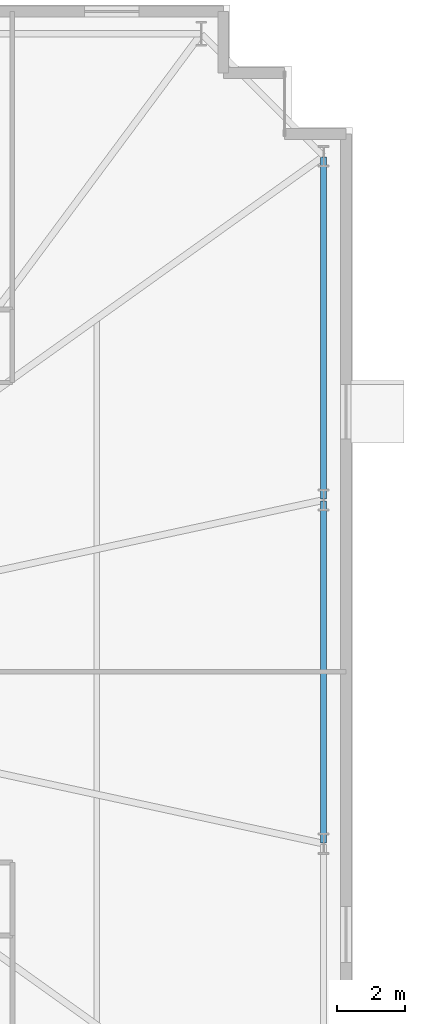
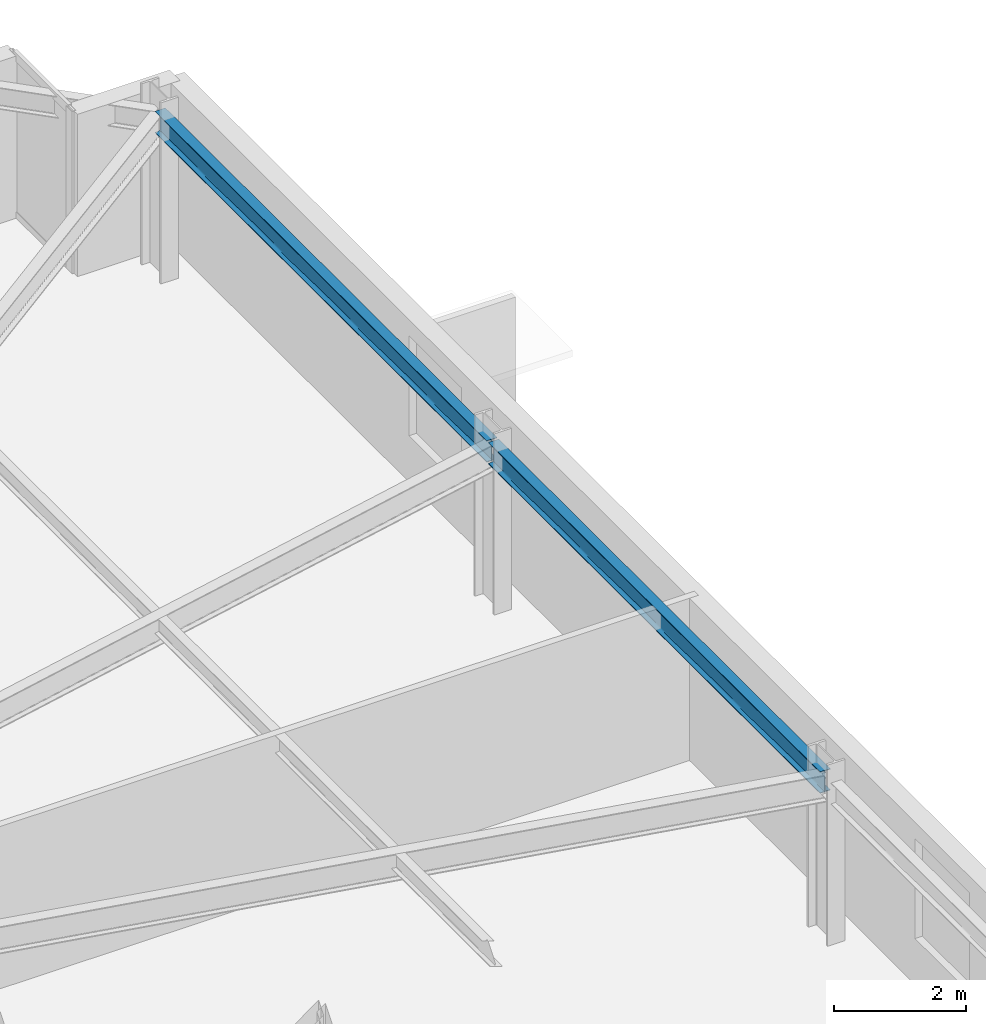
# One storey, part 11 of 20: 2 beams.
"""IFC4 building model written with IfcOpenShell, lengths in metres."""

import ifcopenshell
import ifcopenshell.guid

model = None  # the IFC model being written
_history = None  # IfcOwnerHistory: only IFC2X3 demands one
_inside = {}  # id of a spatial element -> (the spatial element, [elements in it])
_under = {}  # id of a project, library or spatial element -> (it, [spatial elements below it])
_declared = {}  # id of a project -> (the project, [libraries it declares])
_typed = {}  # id of a type object -> (the type object, [elements of that type])
_made_of = {}  # id of a material, layer set ... -> (it, [elements and type objects made of it])


def new_model(schema):
    """Start an empty IFC model of exactly this schema.

    Asked for "IFC4X3", IfcOpenShell would pick the latest addendum, in which some entities
    have other attributes; the version numbers below select the first issue.
    IFC2X3 requires an IfcOwnerHistory on every rooted entity: one is made here for all.
    """
    global model, _history
    if schema == "IFC4X3":
        model = ifcopenshell.file(schema_version=(4, 3, 0, 0))
    else:
        model = ifcopenshell.file(schema=schema)
    _inside.clear()
    _under.clear()
    _declared.clear()
    _typed.clear()
    _made_of.clear()
    _history = None
    if model.schema == "IFC2X3":
        org = make("IfcOrganization", Name="unknown")
        user = make(
            "IfcPersonAndOrganization",
            ThePerson=make("IfcPerson", FamilyName="unknown"),
            TheOrganization=org,
        )
        app = make(
            "IfcApplication",
            ApplicationDeveloper=org,
            Version="unknown",
            ApplicationFullName="unknown",
            ApplicationIdentifier="unknown",
        )
        _history = make(
            "IfcOwnerHistory",
            OwningUser=user,
            OwningApplication=app,
            ChangeAction="ADDED",
            CreationDate=0,
        )
    return model


def make(cls, **values):
    """One entity of the class cls with the attributes given. An attribute that is None is left unset."""
    return model.create_entity(
        cls, **{name: value for name, value in values.items() if value is not None}
    )


def rooted(cls, **values):
    """An entity with a GlobalId (a new one), such as an element, a storey or a relation."""
    return make(cls, GlobalId=ifcopenshell.guid.new(), OwnerHistory=_history, **values)


def si_unit(unit_type, name, prefix=None):
    """IfcSIUnit, for example si_unit("LENGTHUNIT", "METRE", prefix="MILLI")."""
    return make("IfcSIUnit", UnitType=unit_type, Prefix=prefix, Name=name)


def assignment(units):
    """IfcUnitAssignment: the units of a project."""
    return None if units is None else make("IfcUnitAssignment", Units=units)


def point(xyz):
    """IfcCartesianPoint."""
    return None if xyz is None else make("IfcCartesianPoint", Coordinates=xyz)


def direction(xyz):
    """IfcDirection."""
    return None if xyz is None else make("IfcDirection", DirectionRatios=xyz)


def frame(location, z_axis=None, x_axis=None):
    """IfcAxis2Placement3D, a coordinate frame: its origin and axes. An axis left out is left unset."""
    return make(
        "IfcAxis2Placement3D",
        Location=point(location),
        Axis=direction(z_axis),
        RefDirection=direction(x_axis),
    )


def frame_2d(location, x_axis=None):
    """IfcAxis2Placement2D, a coordinate frame in the plane: its origin and x axis."""
    return make(
        "IfcAxis2Placement2D", Location=point(location), RefDirection=direction(x_axis)
    )


def origin():
    """The frame at (0, 0, 0) with its axes left unset."""
    return frame((0.0, 0.0, 0.0))


def origin_2d():
    """The frame at (0, 0) in the plane with its x axis left unset."""
    return frame_2d((0.0, 0.0))


def place(relative_to, where):
    """IfcLocalPlacement: puts the frame where relative to a parent placement (None: the world)."""
    return make(
        "IfcLocalPlacement", PlacementRelTo=relative_to, RelativePlacement=where
    )


def context(
    kind, dimensions, precision=None, world=None, true_north=None, identifier=None
):
    """IfcGeometricRepresentationContext, for example the 3D "Model" context."""
    return make(
        "IfcGeometricRepresentationContext",
        ContextIdentifier=identifier,
        ContextType=kind,
        CoordinateSpaceDimension=dimensions,
        Precision=precision,
        WorldCoordinateSystem=world,
        TrueNorth=true_north,
    )


def subcontext(parent, identifier, kind, view, scale=None):
    """IfcGeometricRepresentationSubContext, for example "Body" below "Model"."""
    return make(
        "IfcGeometricRepresentationSubContext",
        ContextIdentifier=identifier,
        ContextType=kind,
        ParentContext=parent,
        TargetScale=scale,
        TargetView=view,
    )


def project(units=None, contexts=None):
    """IfcProject with its units and contexts."""
    return rooted(
        "IfcProject",
        Name="project",
        RepresentationContexts=contexts,
        UnitsInContext=assignment(units),
    )


def spatial(cls, under=None, at=None, **own):
    """A site, building, storey or space (cls), placed at a placement, below another one or the project."""
    s = rooted(cls, ObjectPlacement=at, **own)
    if under is not None:
        _under.setdefault(under.id(), (under, []))[1].append(s)
    return s


def profile(cls, at=None, kind="AREA", **sizes):
    """A parametric profile (cls). Its sizes go by their IFC names, for example OverallWidth=200.0."""
    return make(cls, ProfileType=kind, Position=at, **sizes)


def i_section(**sizes):
    """IfcIShapeProfileDef."""
    return profile("IfcIShapeProfileDef", **sizes)


def extrude(swept, where, along, depth):
    """IfcExtrudedAreaSolid: the profile swept, set in the frame where, extruded along a direction by depth."""
    return make(
        "IfcExtrudedAreaSolid",
        SweptArea=swept,
        Position=where,
        ExtrudedDirection=direction(along),
        Depth=depth,
    )


def shape(context_of_items, identifier, shape_type, items):
    """IfcShapeRepresentation: the items that make up one representation, for example the "Body"."""
    return make(
        "IfcShapeRepresentation",
        ContextOfItems=context_of_items,
        RepresentationIdentifier=identifier,
        RepresentationType=shape_type,
        Items=items,
    )


def material(Name=None, Category=None):
    """IfcMaterial."""
    return make("IfcMaterial", Name=Name, Category=Category)


def material_profile(
    of_material, cross_section, Name=None, Category=None, Priority=None
):
    """IfcMaterialProfile: a cross section and its material."""
    return make(
        "IfcMaterialProfile",
        Name=Name,
        Material=of_material,
        Profile=cross_section,
        Priority=Priority,
        Category=Category,
    )


def profile_set(profiles, Name=None, composite=None):
    """IfcMaterialProfileSet."""
    return make(
        "IfcMaterialProfileSet",
        Name=Name,
        MaterialProfiles=profiles,
        CompositeProfile=composite,
    )


def made_of(thing, what):
    """Note that an element or type object is made of a material, layer set ...; save() writes the relation."""
    if what is not None:
        _made_of.setdefault(what.id(), (what, []))[1].append(thing)
    return thing


def type_object(cls, material=None, **own):
    """A type object (cls), such as IfcWallType, which elements share."""
    return made_of(rooted(cls, **own), material)


def element(
    cls,
    number,
    at=None,
    inside=None,
    cuts=None,
    type_object=None,
    material=None,
    context=None,
    identifier="Body",
    shape_type=None,
    held_by="IfcProductDefinitionShape",
    body=None,
    shapes=None,
    **own,
):
    """One element of the class cls, such as IfcWall. Its Tag is "e" and its number.

    at: its placement. inside: the storey or other place that contains it. cuts: it is an
    opening in that element (IfcRelVoidsElement). A single representation is given by context,
    identifier, shape_type and body (its items); several are given by shapes. held_by: the class
    of the entity that holds the representations. save() writes the other relations.
    """
    e = rooted(cls, Tag="e%d" % number, ObjectPlacement=at, **own)
    if body is not None:
        shapes = [shape(context, identifier, shape_type, body)]
    if shapes is not None:
        e.Representation = make(held_by, Representations=shapes)
    if inside is not None:
        _inside.setdefault(inside.id(), (inside, []))[1].append(e)
    if cuts is not None:
        rooted(
            "IfcRelVoidsElement", RelatingBuildingElement=cuts, RelatedOpeningElement=e
        )
    if type_object is not None:
        _typed.setdefault(type_object.id(), (type_object, []))[1].append(e)
    return made_of(e, material)


def aggregate(whole, parts):
    """IfcRelAggregates: a whole, such as a stair, and the parts it consists of."""
    return rooted("IfcRelAggregates", RelatingObject=whole, RelatedObjects=parts)


def save(model, path):
    """Write the relations noted so far, then the file.

    IfcRelAggregates (storeys below a building ...), IfcRelContainedInSpatialStructure (elements
    in a storey), IfcRelDefinesByType, IfcRelAssociatesMaterial and IfcRelDeclares: one each for
    every whole, place, type object, material and project.
    """
    for whole, parts in _under.values():
        aggregate(whole, parts)
    for where, things in _inside.values():
        rooted(
            "IfcRelContainedInSpatialStructure",
            RelatedElements=things,
            RelatingStructure=where,
        )
    for kind, things in _typed.values():
        rooted("IfcRelDefinesByType", RelatedObjects=things, RelatingType=kind)
    for what, things in _made_of.values():
        rooted("IfcRelAssociatesMaterial", RelatedObjects=things, RelatingMaterial=what)
    for by, libraries in _declared.values():
        rooted("IfcRelDeclares", RelatingContext=by, RelatedDefinitions=libraries)
    model.write(path)


model = new_model("IFC4")

# Units and contexts
model_context = context("Model", 3, precision=1e-05, world=origin(), true_north=direction((0.0, 1.0)))
body_context = subcontext(model_context, "Body", "Model", "MODEL_VIEW")
ifc_project = project(units=[si_unit("LENGTHUNIT", "METRE"), si_unit("AREAUNIT", "SQUARE_METRE"), si_unit("VOLUMEUNIT", "CUBIC_METRE"), si_unit("PLANEANGLEUNIT", "RADIAN"), si_unit("MASSUNIT", "GRAM", prefix="KILO")], contexts=[model_context])

# Site, building, storey
site_placement = place(None, origin())
site = spatial("IfcSite", under=ifc_project, at=site_placement, CompositionType="ELEMENT")
building_placement = place(site_placement, origin())
building = spatial("IfcBuilding", under=site, at=building_placement, Name="Qobustan Lattice House", CompositionType="ELEMENT")
storey_placement = place(building_placement, frame((0.0, 0.0, 70.550048828125)))
storey = spatial("IfcBuildingStorey", under=building, at=storey_placement, Name="L19", CompositionType="ELEMENT", Elevation=70.550048828125)

# Beams
ifc_material = material(Name="Steel S355", Category="steel")
ifc_material_profile = material_profile(ifc_material, i_section(OverallWidth=0.179931640625, OverallDepth=0.39990234375, WebThickness=0.008544921875, FlangeThickness=0.013427734375, FilletRadius=0.02099609375, at=origin_2d()), Name="IPE400")
ifc_profile_set = profile_set([ifc_material_profile], Name="Steel S355")
beam_type = type_object("IfcBeamType", Name="BM-SPD-IPE400", PredefinedType="SPANDREL", material=ifc_profile_set)
beam_1_placement = place(storey_placement, frame((32.14990234375, -5.02490234375, 2.800048828125), z_axis=(0.0, 1.0, 0.0), x_axis=(-1.0, 0.0, 0.0)))
element("IfcBeam", 1, at=beam_1_placement, inside=storey, type_object=beam_type, Name="L19 perimeter spandrel E2-E3", PredefinedType="SPANDREL", context=body_context, shape_type="SweptSolid", body=[
    extrude(i_section(OverallWidth=0.179931640625, OverallDepth=0.39990234375, WebThickness=0.008544921875, FlangeThickness=0.013427734375, FilletRadius=0.02099609375, at=origin_2d()), origin(), (0.0, 0.0, 1.0), 10.0498046875),
])
beam_2_placement = place(storey_placement, frame((32.14990234375, 5.074951171875, 2.800048828125), z_axis=(0.0, 1.0, 0.0), x_axis=(-1.0, 0.0, 0.0)))
element("IfcBeam", 2, at=beam_2_placement, inside=storey, type_object=beam_type, Name="L19 perimeter spandrel E3-E4", PredefinedType="SPANDREL", context=body_context, shape_type="SweptSolid", body=[
    extrude(i_section(OverallWidth=0.179931640625, OverallDepth=0.39990234375, WebThickness=0.008544921875, FlangeThickness=0.013427734375, FilletRadius=0.02099609375, at=origin_2d()), origin(), (0.0, 0.0, 1.0), 10.050048828125),
])

save(model, "model.ifc")
